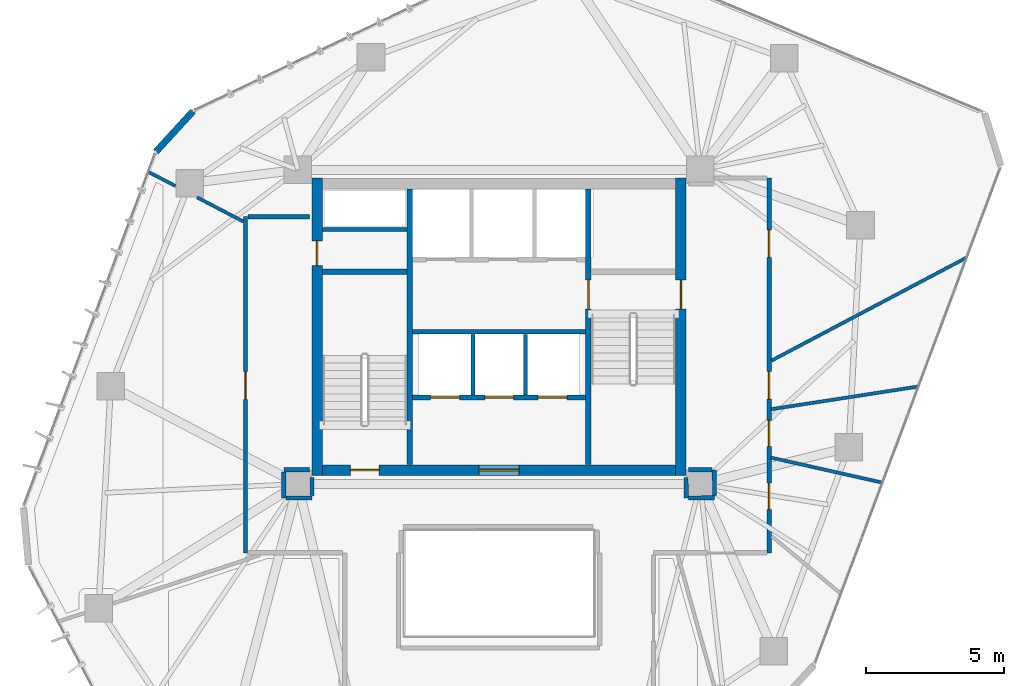
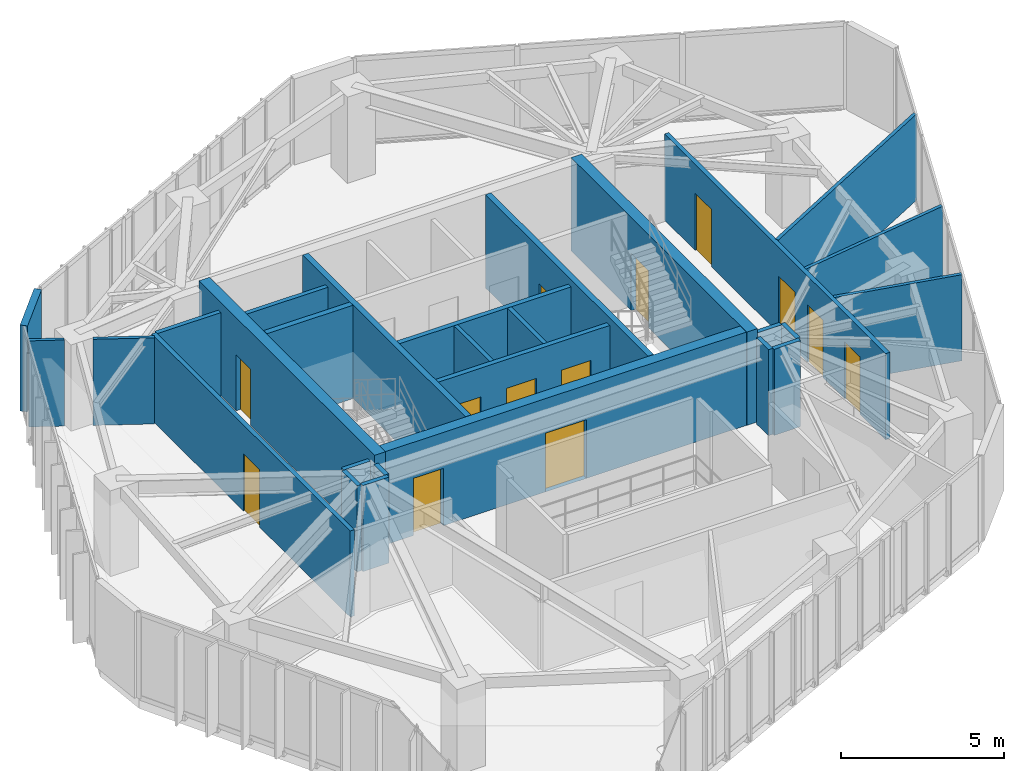
# One storey, part 15 of 18: 28 walls, 13 doors, 13 openings.
"""IFC4 building model written with IfcOpenShell, lengths in metres."""

from ifc_helpers import new_model, si_unit, direction, frame, frame_2d, origin, place, context, subcontext, project, spatial, rectangle, extrude, source, transform, mapped, material, layer, layer_set, type_object, type_shapes, element, fill, save


model = new_model("IFC4")

# Units and contexts
model_context = context("Model", 3, precision=1e-05, world=origin(), true_north=direction((0.0, 1.0)))
body_context = subcontext(model_context, "Body", "Model", "MODEL_VIEW")
ifc_project = project(units=[si_unit("LENGTHUNIT", "METRE"), si_unit("AREAUNIT", "SQUARE_METRE"), si_unit("VOLUMEUNIT", "CUBIC_METRE"), si_unit("PLANEANGLEUNIT", "RADIAN"), si_unit("MASSUNIT", "GRAM", prefix="KILO")], contexts=[model_context])

# Site, building, storey
site_placement = place(None, origin())
site = spatial("IfcSite", under=ifc_project, at=site_placement, CompositionType="ELEMENT")
building_placement = place(site_placement, origin())
building = spatial("IfcBuilding", under=site, at=building_placement, Name="Talar Marvaseh", CompositionType="ELEMENT")
storey_placement = place(building_placement, frame((0.0, 0.0, 167.0)))
storey = spatial("IfcBuildingStorey", under=building, at=storey_placement, Name="L43", CompositionType="ELEMENT", Elevation=167.0)

# Walls
ifc_material_1 = material(Name="Precast concrete C45/55", Category="concrete")
ifc_layer_1 = layer(ifc_material_1, 0.239990234375)
ifc_layer_set_1 = layer_set([ifc_layer_1], Name="Precast concrete C45/55")
wall_type_1 = type_object("IfcWallType", Name="Chamfered Hexagonal Corner Pier Wall Z3 240", PredefinedType="SOLIDWALL", material=ifc_layer_set_1)
wall_1_placement = place(storey_placement, frame((13.54541015625, 37.55419921875, 0.0), z_axis=(0.0, 0.0, 1.0), x_axis=(0.675597676165, 0.737270493076, 0.0)))
element("IfcWall", 1, at=wall_1_placement, inside=storey, type_object=wall_type_1, Name="L43 Chamfered Corner Limestone Pier 3", PredefinedType="SOLIDWALL", context=body_context, shape_type="SweptSolid", body=[
    extrude(rectangle(XDim=2.003173828125, YDim=0.239990234375, at=frame_2d((1.00146484375, 0.0))), origin(), (0.0, 0.0, 1.0), 3.22998046875),
])
ifc_material_2 = material(Name="Gypsum Board Partition Assembly")
ifc_layer_2 = layer(ifc_material_2, 0.155029296875)
ifc_layer_set_2 = layer_set([ifc_layer_2], Name="Gypsum Board Partition Assembly")
wall_type_2 = type_object("IfcWallType", Name="Corridor Fire-Rated Acoustic Partition 155", PredefinedType="PARTITIONING", material=ifc_layer_set_2)
wall_2_placement = place(storey_placement, frame((19.60009765625, 34.72998046875, 0.0), z_axis=(0.0, 0.0, 1.0), x_axis=(1.0, 0.0, 0.0)))
element("IfcWall", 2, at=wall_2_placement, inside=storey, type_object=wall_type_2, Name="L43 Core BOH Partition", PredefinedType="PARTITIONING", context=body_context, shape_type="SweptSolid", body=[
    extrude(rectangle(XDim=3.059814453125, YDim=0.155029296875, at=frame_2d((1.52978515625, 0.0))), origin(), (0.0, 0.0, 1.0), 3.22998046875),
])

# Wall, opening, door
wall_3_placement = place(storey_placement, frame((16.800048828125, 23.0, 0.0), z_axis=(0.0, 0.0, 1.0), x_axis=(0.0, 1.0, 0.0)))
wall_3 = element("IfcWall", 3, at=wall_3_placement, inside=storey, type_object=wall_type_2, Name="L43 Interior Partition Wall", PredefinedType="PARTITIONING", context=body_context, shape_type="SweptSolid", body=[
    extrude(rectangle(XDim=12.199951171875, YDim=0.155029296875, at=frame_2d((6.10009765625, 0.0))), origin(), (0.0, 0.0, 1.0), 3.22998046875),
])
opening_1_placement = place(wall_3_placement, frame((5.5712890625, 0.0, 0.0)))
opening_1 = element("IfcOpeningElement", 4, at=opening_1_placement, cuts=wall_3, Name="Opening DR-RM100", PredefinedType="OPENING", context=body_context, shape_type="SweptSolid", body=[
    extrude(rectangle(XDim=1.0, YDim=2.14990234375, at=frame_2d((0.5, 1.074951171875))), frame((0.0, 0.08740234375, 0.0), z_axis=(0.0, -1.0, 0.0), x_axis=(1.0, 0.0, 0.0)), (0.0, 0.0, 1.0), 0.175048828125),
])
ifc_material_3 = material(Name="Acoustic Engineered Oak Timber", Category="wood")
door_type_1 = type_object("IfcDoorType", Name="Corridor Fire-Rated Gallery Door 1000x2150", OperationType="NOTDEFINED", PredefinedType="DOOR", material=ifc_material_3)
shared_shape_1 = source(origin(), body_context, "Body", "SweptSolid", [
    extrude(rectangle(XDim=1.0, YDim=2.14990234375, at=frame_2d((0.5, 1.074951171875))), frame((0.0, 0.02490234375, 0.0), z_axis=(0.0, -1.0, 0.0), x_axis=(1.0, 0.0, 0.0)), (0.0, 0.0, 1.0), 0.050048828125),
])
type_shapes(door_type_1, [shared_shape_1])
door_1_placement = place(opening_1_placement, origin())
door_1 = element("IfcDoor", 5, at=door_1_placement, inside=storey, type_object=door_type_1, Name="L43 Archival Facsimile Boutique Door", OperationType="SINGLE_SWING_LEFT", OverallHeight=2.14990234375, OverallWidth=1.0, PredefinedType="DOOR", context=body_context, shape_type="MappedRepresentation", body=[
    mapped(shared_shape_1, transform((0.0, 0.0, 0.0), x_axis=(1.0, 0.0, 0.0), y_axis=(0.0, 1.0, 0.0), z_axis=(0.0, 0.0, 1.0), scale=1.0)),
])
fill(opening_1, door_1)

# Wall, openings, doors
wall_4_placement = place(storey_placement, frame((35.800048828125, 36.60009765625, 0.0), z_axis=(0.0, 0.0, 1.0), x_axis=(0.0, -1.0, 0.0)))
wall_4 = element("IfcWall", 6, at=wall_4_placement, inside=storey, type_object=wall_type_2, Name="L43 Interior Partition Wall", PredefinedType="PARTITIONING", context=body_context, shape_type="SweptSolid", body=[
    extrude(rectangle(XDim=13.60009765625, YDim=0.155029296875, at=frame_2d((6.800048828125, 0.0))), origin(), (0.0, 0.0, 1.0), 3.22998046875),
])
opening_2_placement = place(wall_4_placement, frame((11.07275390625, 0.0, 0.0)))
opening_2 = element("IfcOpeningElement", 7, at=opening_2_placement, cuts=wall_4, Name="Opening DR-WC095", PredefinedType="OPENING", context=body_context, shape_type="SweptSolid", body=[
    extrude(rectangle(XDim=0.949951171875, YDim=2.14990234375, at=frame_2d((0.47509765625, 1.074951171875))), frame((0.0, 0.08740234375, 0.0), z_axis=(0.0, -1.0, 0.0), x_axis=(1.0, 0.0, 0.0)), (0.0, 0.0, 1.0), 0.175048828125),
])
opening_3_placement = place(wall_4_placement, frame((8.789794921875, 0.0, 0.0)))
opening_3 = element("IfcOpeningElement", 8, at=opening_3_placement, cuts=wall_4, Name="Opening DR-WC095", PredefinedType="OPENING", context=body_context, shape_type="SweptSolid", body=[
    extrude(rectangle(XDim=0.949951171875, YDim=2.14990234375, at=frame_2d((0.47509765625, 1.074951171875))), frame((0.0, 0.08740234375, 0.0), z_axis=(0.0, -1.0, 0.0), x_axis=(1.0, 0.0, 0.0)), (0.0, 0.0, 1.0), 0.175048828125),
])
opening_4_placement = place(wall_4_placement, frame((7.023681640625, 0.0, 0.0)))
opening_4 = element("IfcOpeningElement", 9, at=opening_4_placement, cuts=wall_4, Name="Opening DR-RM100", PredefinedType="OPENING", context=body_context, shape_type="SweptSolid", body=[
    extrude(rectangle(XDim=1.0, YDim=2.14990234375, at=frame_2d((0.5, 1.074951171875))), frame((0.0, 0.08740234375, 0.0), z_axis=(0.0, -1.0, 0.0), x_axis=(1.0, 0.0, 0.0)), (0.0, 0.0, 1.0), 0.175048828125),
])
opening_5_placement = place(wall_4_placement, frame((1.883056640625, 0.0, 0.0)))
opening_5 = element("IfcOpeningElement", 10, at=opening_5_placement, cuts=wall_4, Name="Opening DR-RM100", PredefinedType="OPENING", context=body_context, shape_type="SweptSolid", body=[
    extrude(rectangle(XDim=1.0, YDim=2.14990234375, at=frame_2d((0.5, 1.074951171875))), frame((0.0, 0.08740234375, 0.0), z_axis=(0.0, -1.0, 0.0), x_axis=(1.0, 0.0, 0.0)), (0.0, 0.0, 1.0), 0.175048828125),
])
door_type_2 = type_object("IfcDoorType", Name="Washroom and Service Room Door 950x2150", OperationType="NOTDEFINED", PredefinedType="DOOR", material=ifc_material_3)
shared_shape_2 = source(origin(), body_context, "Body", "SweptSolid", [
    extrude(rectangle(XDim=0.949951171875, YDim=2.14990234375, at=frame_2d((0.47509765625, 1.074951171875))), frame((0.0, 0.02490234375, 0.0), z_axis=(0.0, -1.0, 0.0), x_axis=(1.0, 0.0, 0.0)), (0.0, 0.0, 1.0), 0.050048828125),
])
type_shapes(door_type_2, [shared_shape_2])
door_2_placement = place(opening_2_placement, origin())
door_2 = element("IfcDoor", 11, at=door_2_placement, inside=storey, type_object=door_type_2, Name="L43 Accessible WC Door", OperationType="SINGLE_SWING_LEFT", OverallHeight=2.14990234375, OverallWidth=0.949951171875, PredefinedType="DOOR", context=body_context, shape_type="MappedRepresentation", body=[
    mapped(shared_shape_2, transform((0.0, 0.0, 0.0), x_axis=(1.0, 0.0, 0.0), y_axis=(0.0, 1.0, 0.0), z_axis=(0.0, 0.0, 1.0), scale=1.0)),
])
fill(opening_2, door_2)
door_3_placement = place(opening_3_placement, origin())
door_3 = element("IfcDoor", 12, at=door_3_placement, inside=storey, type_object=door_type_2, Name="L43 WC Public Washrooms Door", OperationType="SINGLE_SWING_RIGHT", OverallHeight=2.14990234375, OverallWidth=0.949951171875, PredefinedType="DOOR", context=body_context, shape_type="MappedRepresentation", body=[
    mapped(shared_shape_2, transform((0.0, 0.0, 0.0), x_axis=(1.0, 0.0, 0.0), y_axis=(0.0, 1.0, 0.0), z_axis=(0.0, 0.0, 1.0), scale=1.0)),
])
fill(opening_3, door_3)
door_4_placement = place(opening_4_placement, origin())
door_4 = element("IfcDoor", 13, at=door_4_placement, inside=storey, type_object=door_type_1, Name="L43 Artisan Craft Showroom Door", OperationType="SINGLE_SWING_LEFT", OverallHeight=2.14990234375, OverallWidth=1.0, PredefinedType="DOOR", context=body_context, shape_type="MappedRepresentation", body=[
    mapped(shared_shape_1, transform((0.0, 0.0, 0.0), x_axis=(1.0, 0.0, 0.0), y_axis=(0.0, 1.0, 0.0), z_axis=(0.0, 0.0, 1.0), scale=1.0)),
])
fill(opening_4, door_4)
door_5_placement = place(opening_5_placement, origin())
door_5 = element("IfcDoor", 14, at=door_5_placement, inside=storey, type_object=door_type_1, Name="L43 Conservation Briefing Room Door", OperationType="SINGLE_SWING_RIGHT", OverallHeight=2.14990234375, OverallWidth=1.0, PredefinedType="DOOR", context=body_context, shape_type="MappedRepresentation", body=[
    mapped(shared_shape_1, transform((0.0, 0.0, 0.0), x_axis=(1.0, 0.0, 0.0), y_axis=(0.0, 1.0, 0.0), z_axis=(0.0, 0.0, 1.0), scale=1.0)),
])
fill(opening_5, door_5)

# Walls
wall_5_placement = place(storey_placement, frame((16.883544921875, 35.199951171875, 0.0), z_axis=(0.0, 0.0, 1.0), x_axis=(1.0, 0.0, 0.0)))
element("IfcWall", 15, at=wall_5_placement, inside=storey, type_object=wall_type_2, Name="L43 Interior Partition Wall", PredefinedType="PARTITIONING", context=body_context, shape_type="SweptSolid", body=[
    extrude(rectangle(XDim=2.246337890625, YDim=0.155029296875, at=frame_2d((1.123046875, 0.0))), origin(), (0.0, 0.0, 1.0), 3.22998046875),
])
wall_6_placement = place(storey_placement, frame((19.1298828125, 26.0146484375, 0.0), z_axis=(0.0, 0.0, 1.0), x_axis=(-0.99999026157, -0.004413248818, 0.0)))
element("IfcWall", 16, at=wall_6_placement, inside=storey, type_object=wall_type_2, Name="L43 Interior Partition Wall", PredefinedType="PARTITIONING", context=body_context, shape_type="SweptSolid", body=[
    extrude(rectangle(XDim=0.9404296875, YDim=0.155029296875, at=frame_2d((0.47021484375, 0.0))), origin(), (0.0, 0.0, 1.0), 3.22998046875),
])
wall_7_placement = place(storey_placement, frame((18.189697265625, 25.927001953125, 0.0), z_axis=(0.0, 0.0, 1.0), x_axis=(0.002078997586, -0.999997838882, 0.0)))
element("IfcWall", 17, at=wall_7_placement, inside=storey, type_object=wall_type_2, Name="L43 Interior Partition Wall", PredefinedType="PARTITIONING", context=body_context, shape_type="SweptSolid", body=[
    extrude(rectangle(XDim=0.939453125, YDim=0.155029296875, at=frame_2d((0.4697265625, 0.0))), origin(), (0.0, 0.0, 1.0), 3.22998046875),
])
wall_8_placement = place(storey_placement, frame((18.275146484375, 24.987548828125, 0.0), z_axis=(0.0, 0.0, 1.0), x_axis=(0.999999692748, 0.0007839036, 0.0)))
element("IfcWall", 18, at=wall_8_placement, inside=storey, type_object=wall_type_2, Name="L43 Interior Partition Wall", PredefinedType="PARTITIONING", context=body_context, shape_type="SweptSolid", body=[
    extrude(rectangle(XDim=0.934326171875, YDim=0.155029296875, at=frame_2d((0.46728515625, 0.0))), origin(), (0.0, 0.0, 1.0), 3.22998046875),
])
wall_9_placement = place(storey_placement, frame((19.210205078125, 25.072021484375, 0.0), z_axis=(0.0, 0.0, 1.0), x_axis=(0.007420945932, 0.999972464402, 0.0)))
element("IfcWall", 19, at=wall_9_placement, inside=storey, type_object=wall_type_2, Name="L43 Interior Partition Wall", PredefinedType="PARTITIONING", context=body_context, shape_type="SweptSolid", body=[
    extrude(rectangle(XDim=0.657958984375, YDim=0.155029296875, at=frame_2d((0.3291015625, 0.0))), origin(), (0.0, 0.0, 1.0), 3.22998046875),
])
wall_10_placement = place(storey_placement, frame((32.784912109375, 25.72998046875, 0.0), z_axis=(0.0, 0.0, 1.0), x_axis=(0.007570553288, -0.999971342951, 0.0)))
element("IfcWall", 20, at=wall_10_placement, inside=storey, type_object=wall_type_2, Name="L43 Interior Partition Wall", PredefinedType="PARTITIONING", context=body_context, shape_type="SweptSolid", body=[
    extrude(rectangle(XDim=0.74169921875, YDim=0.155029296875, at=frame_2d((0.370849609375, 0.0))), origin(), (0.0, 0.0, 1.0), 3.22998046875),
])
wall_11_placement = place(storey_placement, frame((32.8740234375, 24.9892578125, 0.0), z_axis=(0.0, 0.0, 1.0), x_axis=(0.999934835738, 0.01141596595, 0.0)))
element("IfcWall", 21, at=wall_11_placement, inside=storey, type_object=wall_type_2, Name="L43 Interior Partition Wall", PredefinedType="PARTITIONING", context=body_context, shape_type="SweptSolid", body=[
    extrude(rectangle(XDim=0.94091796875, YDim=0.155029296875, at=frame_2d((0.470458984375, 0.0))), origin(), (0.0, 0.0, 1.0), 3.22998046875),
])
wall_12_placement = place(storey_placement, frame((33.814697265625, 25.08349609375, 0.0), z_axis=(0.0, 0.0, 1.0), x_axis=(-0.004477173984, 0.999989977406, 0.0)))
element("IfcWall", 22, at=wall_12_placement, inside=storey, type_object=wall_type_2, Name="L43 Interior Partition Wall", PredefinedType="PARTITIONING", context=body_context, shape_type="SweptSolid", body=[
    extrude(rectangle(XDim=0.927001953125, YDim=0.155029296875, at=frame_2d((0.46337890625, 0.0))), origin(), (0.0, 0.0, 1.0), 3.22998046875),
])
wall_13_placement = place(storey_placement, frame((33.72705078125, 26.010986328125, 0.0), z_axis=(0.0, 0.0, 1.0), x_axis=(-0.999990868706, 0.004273465251, 0.0)))
element("IfcWall", 23, at=wall_13_placement, inside=storey, type_object=wall_type_2, Name="L43 Interior Partition Wall", PredefinedType="PARTITIONING", context=body_context, shape_type="SweptSolid", body=[
    extrude(rectangle(XDim=0.85693359375, YDim=0.155029296875, at=frame_2d((0.428466796875, 0.0))), origin(), (0.0, 0.0, 1.0), 3.22998046875),
])
ifc_layer_3 = layer(ifc_material_2, 0.1201171875)
ifc_layer_set_3 = layer_set([ifc_layer_3], Name="Gypsum Board Partition Assembly")
wall_type_3 = type_object("IfcWallType", Name="Demountable Studio Room Partition 120", PredefinedType="PARTITIONING", material=ifc_layer_set_3)
wall_14_placement = place(storey_placement, frame((35.86328125, 26.455810546875, 0.0), z_axis=(0.0, 0.0, 1.0), x_axis=(0.975715736092, -0.219040640846, 0.0)))
element("IfcWall", 24, at=wall_14_placement, inside=storey, type_object=wall_type_3, Name="L43 Interior Partition Wall", PredefinedType="PARTITIONING", context=body_context, shape_type="SweptSolid", body=[
    extrude(rectangle(XDim=4.12744140625, YDim=0.1201171875, at=frame_2d((2.063720703125, 0.0))), origin(), (0.0, 0.0, 1.0), 3.22998046875),
])
wall_15_placement = place(storey_placement, frame((35.8642578125, 28.2099609375, 0.0), z_axis=(0.0, 0.0, 1.0), x_axis=(0.988332418766, 0.152312277955, 0.0)))
element("IfcWall", 25, at=wall_15_placement, inside=storey, type_object=wall_type_3, Name="L43 Interior Partition Wall", PredefinedType="PARTITIONING", context=body_context, shape_type="SweptSolid", body=[
    extrude(rectangle(XDim=5.393798828125, YDim=0.1201171875, at=frame_2d((2.69677734375, 0.0))), origin(), (0.0, 0.0, 1.0), 3.22998046875),
])
wall_16_placement = place(storey_placement, frame((35.883544921875, 29.97412109375, 0.0), z_axis=(0.0, 0.0, 1.0), x_axis=(0.884226000955, 0.46705928878, 0.0)))
element("IfcWall", 26, at=wall_16_placement, inside=storey, type_object=wall_type_3, Name="L43 Interior Partition Wall", PredefinedType="PARTITIONING", context=body_context, shape_type="SweptSolid", body=[
    extrude(rectangle(XDim=7.99072265625, YDim=0.1201171875, at=frame_2d((3.995361328125, 0.0))), origin(), (0.0, 0.0, 1.0), 3.22998046875),
])
wall_17_placement = place(storey_placement, frame((16.716552734375, 35.023681640625, 0.0), z_axis=(0.0, 0.0, 1.0), x_axis=(-0.886255547382, 0.463196615633, 0.0)))
element("IfcWall", 27, at=wall_17_placement, inside=storey, type_object=wall_type_3, Name="L43 Interior Partition Wall", PredefinedType="PARTITIONING", context=body_context, shape_type="SweptSolid", body=[
    extrude(rectangle(XDim=1.8916015625, YDim=0.1201171875, at=frame_2d((0.94580078125, 0.0))), origin(), (0.0, 0.0, 1.0), 3.22998046875),
])
wall_18_placement = place(storey_placement, frame((14.260009765625, 36.31005859375, 0.0), z_axis=(0.0, 0.0, 1.0), x_axis=(-0.887801911639, 0.460225776865, 0.0)))
element("IfcWall", 28, at=wall_18_placement, inside=storey, type_object=wall_type_3, Name="L43 Interior Partition Wall", PredefinedType="PARTITIONING", context=body_context, shape_type="SweptSolid", body=[
    extrude(rectangle(XDim=1.091796875, YDim=0.1201171875, at=frame_2d((0.5458984375, 0.0))), origin(), (0.0, 0.0, 1.0), 3.22998046875),
])
ifc_layer_4 = layer(ifc_material_1, 0.14501953125)
ifc_layer_set_4 = layer_set([ifc_layer_4], Name="Precast concrete C45/55")
wall_type_4 = type_object("IfcWallType", Name="Fire-Rated Lift Divider Wall 145", PredefinedType="SOLIDWALL", material=ifc_layer_set_4)
for number, where, z_axis, x_axis, name in (
    (29, (25.050048828125, 28.719970703125, 0.0), (0.0, 0.0, 1.0), (0.0, 1.0, 0.0), "L43 PL-H1/PL-H2 Divider"),
    (30, (26.949951171875, 28.719970703125, 0.0), (0.0, 0.0, 1.0), (0.0, 1.0, 0.0), "L43 PL-H2/PL-H3 Divider"),
):
    element("IfcWall", number, at=place(storey_placement, frame(where, z_axis=z_axis, x_axis=x_axis)), inside=storey, type_object=wall_type_4, Name=name, PredefinedType="SOLIDWALL", context=body_context, shape_type="SweptSolid", body=[
        extrude(rectangle(XDim=2.20654296875, YDim=0.14501953125, at=frame_2d((1.103271484375, 0.0))), origin(), (0.0, 0.0, 1.0), 3.22998046875),
    ])
ifc_layer_5 = layer(ifc_material_1, 0.175048828125)
ifc_layer_set_5 = layer_set([ifc_layer_5], Name="Precast concrete C45/55")
wall_type_5 = type_object("IfcWallType", Name="Fire-Rated Lift Hoistway Enclosure Wall 175", PredefinedType="SOLIDWALL", material=ifc_layer_set_5)
wall_19_placement = place(storey_placement, frame((22.860107421875, 31.02001953125, 0.0), z_axis=(0.0, 0.0, 1.0), x_axis=(1.0, 0.0, 0.0)))
element("IfcWall", 31, at=wall_19_placement, inside=storey, type_object=wall_type_5, Name="L43 Firefighting Lobby South Smoke Wall", PredefinedType="SOLIDWALL", context=body_context, shape_type="SweptSolid", body=[
    extrude(rectangle(XDim=6.27978515625, YDim=0.175048828125, at=frame_2d((3.139892578125, 0.0))), origin(), (0.0, 0.0, 1.0), 3.22998046875),
])

# Wall, openings, doors
wall_20_placement = place(storey_placement, frame((22.860107421875, 28.639892578125, 0.0), z_axis=(0.0, 0.0, 1.0), x_axis=(1.0, 0.0, 0.0)))
wall_20 = element("IfcWall", 32, at=wall_20_placement, inside=storey, type_object=wall_type_5, Name="L43 High-Rise Lift Bank Front Wall", PredefinedType="SOLIDWALL", context=body_context, shape_type="SweptSolid", body=[
    extrude(rectangle(XDim=6.27978515625, YDim=0.175048828125, at=frame_2d((3.139892578125, 0.0))), origin(), (0.0, 0.0, 1.0), 3.22998046875),
])
opening_6_placement = place(wall_20_placement, frame((0.659912109375, 0.0, 0.0)))
opening_6 = element("IfcOpeningElement", 33, at=opening_6_placement, cuts=wall_20, Name="Opening LD-PLH1", PredefinedType="OPENING", context=body_context, shape_type="SweptSolid", body=[
    extrude(rectangle(XDim=1.050048828125, YDim=2.14990234375, at=frame_2d((0.52490234375, 1.074951171875))), frame((0.0, 0.09765625, 0.0), z_axis=(0.0, -1.0, 0.0), x_axis=(1.0, 0.0, 0.0)), (0.0, 0.0, 1.0), 0.195068359375),
])
opening_7_placement = place(wall_20_placement, frame((2.6201171875, 0.0, 0.0)))
opening_7 = element("IfcOpeningElement", 34, at=opening_7_placement, cuts=wall_20, Name="Opening LD-PLH2", PredefinedType="OPENING", context=body_context, shape_type="SweptSolid", body=[
    extrude(rectangle(XDim=1.050048828125, YDim=2.14990234375, at=frame_2d((0.52490234375, 1.074951171875))), frame((0.0, 0.09765625, 0.0), z_axis=(0.0, -1.0, 0.0), x_axis=(1.0, 0.0, 0.0)), (0.0, 0.0, 1.0), 0.195068359375),
])
opening_8_placement = place(wall_20_placement, frame((4.56005859375, 0.0, 0.0)))
opening_8 = element("IfcOpeningElement", 35, at=opening_8_placement, cuts=wall_20, Name="Opening LD-PLH3", PredefinedType="OPENING", context=body_context, shape_type="SweptSolid", body=[
    extrude(rectangle(XDim=1.050048828125, YDim=2.14990234375, at=frame_2d((0.52490234375, 1.074951171875))), frame((0.0, 0.09765625, 0.0), z_axis=(0.0, -1.0, 0.0), x_axis=(1.0, 0.0, 0.0)), (0.0, 0.0, 1.0), 0.195068359375),
])
ifc_material_4 = material(Name="Stainless Steel Grade 316", Category="steel")
door_type_3 = type_object("IfcDoorType", Name="Automatic Sliding Lift Landing Door 1050x2150", OperationType="NOTDEFINED", PredefinedType="DOOR", material=ifc_material_4)
shared_shape_3 = source(origin(), body_context, "Body", "SweptSolid", [
    extrude(rectangle(XDim=1.050048828125, YDim=2.14990234375, at=frame_2d((0.52490234375, 1.074951171875))), frame((0.0, 0.02490234375, 0.0), z_axis=(0.0, -1.0, 0.0), x_axis=(1.0, 0.0, 0.0)), (0.0, 0.0, 1.0), 0.050048828125),
])
type_shapes(door_type_3, [shared_shape_3])
door_6_placement = place(opening_6_placement, origin())
door_6 = element("IfcDoor", 36, at=door_6_placement, inside=storey, type_object=door_type_3, Name="L43 Lift PL-H1 Sliding Landing Door", OperationType="SLIDING_TO_LEFT", OverallHeight=2.14990234375, OverallWidth=1.050048828125, PredefinedType="DOOR", context=body_context, shape_type="MappedRepresentation", body=[
    mapped(shared_shape_3, transform((0.0, 0.0, 0.0), x_axis=(1.0, 0.0, 0.0), y_axis=(0.0, 1.0, 0.0), z_axis=(0.0, 0.0, 1.0), scale=1.0)),
])
fill(opening_6, door_6)
door_7_placement = place(opening_7_placement, origin())
door_7 = element("IfcDoor", 37, at=door_7_placement, inside=storey, type_object=door_type_3, Name="L43 Lift PL-H2 Sliding Landing Door", OperationType="SLIDING_TO_LEFT", OverallHeight=2.14990234375, OverallWidth=1.050048828125, PredefinedType="DOOR", context=body_context, shape_type="MappedRepresentation", body=[
    mapped(shared_shape_3, transform((0.0, 0.0, 0.0), x_axis=(1.0, 0.0, 0.0), y_axis=(0.0, 1.0, 0.0), z_axis=(0.0, 0.0, 1.0), scale=1.0)),
])
fill(opening_7, door_7)
door_8_placement = place(opening_8_placement, origin())
door_8 = element("IfcDoor", 38, at=door_8_placement, inside=storey, type_object=door_type_3, Name="L43 Lift PL-H3 Sliding Landing Door", OperationType="SLIDING_TO_LEFT", OverallHeight=2.14990234375, OverallWidth=1.050048828125, PredefinedType="DOOR", context=body_context, shape_type="MappedRepresentation", body=[
    mapped(shared_shape_3, transform((0.0, 0.0, 0.0), x_axis=(1.0, 0.0, 0.0), y_axis=(0.0, 1.0, 0.0), z_axis=(0.0, 0.0, 1.0), scale=1.0)),
])
fill(opening_8, door_8)

# Wall, opening, door
ifc_material_5 = material(Name="Concrete C60/75", Category="concrete")
ifc_layer_6 = layer(ifc_material_5, 0.3798828125)
ifc_layer_set_6 = layer_set([ifc_layer_6], Name="Concrete C60/75")
wall_type_6 = type_object("IfcWallType", Name="Mid Core Reinforced Concrete Shear Wall 380", PredefinedType="SHEAR", material=ifc_layer_set_6)
wall_21_placement = place(storey_placement, frame((19.39990234375, 25.800048828125, 0.0), z_axis=(0.0, 0.0, 1.0), x_axis=(0.0, 1.0, 0.0)))
wall_21 = element("IfcWall", 39, at=wall_21_placement, inside=storey, type_object=wall_type_6, Name="L43 West Core Shear Wall", PredefinedType="SHEAR", context=body_context, shape_type="SweptSolid", body=[
    extrude(rectangle(XDim=10.800048828125, YDim=0.3798828125, at=frame_2d((5.39990234375, 0.0))), origin(), (0.0, 0.0, 1.0), 3.5),
])
opening_9_placement = place(wall_21_placement, frame((7.6201171875, 0.0, 0.0)))
opening_9 = element("IfcOpeningElement", 40, at=opening_9_placement, cuts=wall_21, Name="Opening DR-BOH090", PredefinedType="OPENING", context=body_context, shape_type="SweptSolid", body=[
    extrude(rectangle(XDim=0.89990234375, YDim=2.10009765625, at=frame_2d((0.449951171875, 1.050048828125))), frame((0.0, 0.199951171875, 0.0), z_axis=(0.0, -1.0, 0.0), x_axis=(1.0, 0.0, 0.0)), (0.0, 0.0, 1.0), 0.39990234375),
])
ifc_material_6 = material(Name="Fire-Rated Steel Door Leaf", Category="steel")
door_type_4 = type_object("IfcDoorType", Name="Core Back-of-House Service Door 900x2100", OperationType="NOTDEFINED", PredefinedType="DOOR", material=ifc_material_6)
shared_shape_4 = source(origin(), body_context, "Body", "SweptSolid", [
    extrude(rectangle(XDim=0.89990234375, YDim=2.10009765625, at=frame_2d((0.449951171875, 1.050048828125))), frame((0.0, 0.02490234375, 0.0), z_axis=(0.0, -1.0, 0.0), x_axis=(1.0, 0.0, 0.0)), (0.0, 0.0, 1.0), 0.050048828125),
])
type_shapes(door_type_4, [shared_shape_4])
door_9_placement = place(opening_9_placement, origin())
door_9 = element("IfcDoor", 41, at=door_9_placement, inside=storey, type_object=door_type_4, Name="L43 Cleaner Core West Closet Door", OperationType="SINGLE_SWING_LEFT", OverallHeight=2.10009765625, OverallWidth=0.89990234375, PredefinedType="DOOR", context=body_context, shape_type="MappedRepresentation", body=[
    mapped(shared_shape_4, transform((0.0, 0.0, 0.0), x_axis=(1.0, 0.0, 0.0), y_axis=(0.0, 1.0, 0.0), z_axis=(0.0, 0.0, 1.0), scale=1.0)),
])
fill(opening_9, door_9)

wall_22_placement = place(storey_placement, frame((32.60009765625, 36.60009765625, 0.0), z_axis=(0.0, 0.0, 1.0), x_axis=(0.0, -1.0, 0.0)))
wall_22 = element("IfcWall", 42, at=wall_22_placement, inside=storey, type_object=wall_type_6, Name="L43 East Core Shear Wall", PredefinedType="SHEAR", context=body_context, shape_type="SweptSolid", body=[
    extrude(rectangle(XDim=10.800048828125, YDim=0.3798828125, at=frame_2d((5.39990234375, 0.0))), origin(), (0.0, 0.0, 1.0), 3.5),
])
opening_10_placement = place(wall_22_placement, frame((3.699951171875, 0.0, 0.0)))
opening_10 = element("IfcOpeningElement", 43, at=opening_10_placement, cuts=wall_22, Name="Opening DR-ST105", PredefinedType="OPENING", context=body_context, shape_type="SweptSolid", body=[
    extrude(rectangle(XDim=1.050048828125, YDim=2.14990234375, at=frame_2d((0.52490234375, 1.074951171875))), frame((0.0, 0.199951171875, 0.0), z_axis=(0.0, -1.0, 0.0), x_axis=(1.0, 0.0, 0.0)), (0.0, 0.0, 1.0), 0.39990234375),
])
door_type_5 = type_object("IfcDoorType", Name="Protected Exit Stair Fire Door 1050x2150", OperationType="NOTDEFINED", PredefinedType="DOOR", material=ifc_material_6)
shared_shape_5 = source(origin(), body_context, "Body", "SweptSolid", [
    extrude(rectangle(XDim=1.050048828125, YDim=2.14990234375, at=frame_2d((0.52490234375, 1.074951171875))), frame((0.0, 0.02490234375, 0.0), z_axis=(0.0, -1.0, 0.0), x_axis=(1.0, 0.0, 0.0)), (0.0, 0.0, 1.0), 0.050048828125),
])
type_shapes(door_type_5, [shared_shape_5])
door_10_placement = place(opening_10_placement, origin())
door_10 = element("IfcDoor", 44, at=door_10_placement, inside=storey, type_object=door_type_5, Name="L43 Stair ST-2 Corridor Exit Door", OperationType="SINGLE_SWING_LEFT", OverallHeight=2.14990234375, OverallWidth=1.050048828125, PredefinedType="DOOR", context=body_context, shape_type="MappedRepresentation", body=[
    mapped(shared_shape_5, transform((0.0, 0.0, 0.0), x_axis=(1.0, 0.0, 0.0), y_axis=(0.0, 1.0, 0.0), z_axis=(0.0, 0.0, 1.0), scale=1.0)),
])
fill(opening_10, door_10)

# Wall, openings, doors
wall_23_placement = place(storey_placement, frame((32.39990234375, 26.0, 0.0), z_axis=(0.0, 0.0, 1.0), x_axis=(-1.0, 0.0, 0.0)))
wall_23 = element("IfcWall", 45, at=wall_23_placement, inside=storey, type_object=wall_type_6, Name="L43 South Core Shear Wall", PredefinedType="SHEAR", context=body_context, shape_type="SweptSolid", body=[
    extrude(rectangle(XDim=12.7998046875, YDim=0.3798828125, at=frame_2d((6.39990234375, 0.0))), origin(), (0.0, 0.0, 1.0), 3.5),
])
opening_11_placement = place(wall_23_placement, frame((10.75, 0.0, 0.0)))
opening_11 = element("IfcOpeningElement", 46, at=opening_11_placement, cuts=wall_23, Name="Opening DR-ST105", PredefinedType="OPENING", context=body_context, shape_type="SweptSolid", body=[
    extrude(rectangle(XDim=1.050048828125, YDim=2.14990234375, at=frame_2d((0.52490234375, 1.074951171875))), frame((0.0, 0.199951171875, 0.0), z_axis=(0.0, -1.0, 0.0), x_axis=(1.0, 0.0, 0.0)), (0.0, 0.0, 1.0), 0.39990234375),
])
opening_12_placement = place(wall_23_placement, frame((5.669921875, 0.0, 0.0)))
opening_12 = element("IfcOpeningElement", 47, at=opening_12_placement, cuts=wall_23, Name="Opening DR-LBY145", PredefinedType="OPENING", context=body_context, shape_type="SweptSolid", body=[
    extrude(rectangle(XDim=1.449951171875, YDim=2.199951171875, at=frame_2d((0.72509765625, 1.10009765625))), frame((0.0, 0.199951171875, 0.0), z_axis=(0.0, -1.0, 0.0), x_axis=(1.0, 0.0, 0.0)), (0.0, 0.0, 1.0), 0.39990234375),
])
door_11_placement = place(opening_11_placement, origin())
door_11 = element("IfcDoor", 48, at=door_11_placement, inside=storey, type_object=door_type_5, Name="L43 Stair ST-1 Exit Door", OperationType="SINGLE_SWING_RIGHT", OverallHeight=2.14990234375, OverallWidth=1.050048828125, PredefinedType="DOOR", context=body_context, shape_type="MappedRepresentation", body=[
    mapped(shared_shape_5, transform((0.0, 0.0, 0.0), x_axis=(1.0, 0.0, 0.0), y_axis=(0.0, 1.0, 0.0), z_axis=(0.0, 0.0, 1.0), scale=1.0)),
])
fill(opening_11, door_11)
door_type_6 = type_object("IfcDoorType", Name="Core Lift Lobby Double Smoke Door 1450x2200", OperationType="NOTDEFINED", PredefinedType="DOOR", material=ifc_material_6)
shared_shape_6 = source(origin(), body_context, "Body", "SweptSolid", [
    extrude(rectangle(XDim=1.449951171875, YDim=2.199951171875, at=frame_2d((0.72509765625, 1.10009765625))), frame((0.0, 0.02490234375, 0.0), z_axis=(0.0, -1.0, 0.0), x_axis=(1.0, 0.0, 0.0)), (0.0, 0.0, 1.0), 0.050048828125),
])
type_shapes(door_type_6, [shared_shape_6])
door_12_placement = place(opening_12_placement, origin())
door_12 = element("IfcDoor", 49, at=door_12_placement, inside=storey, type_object=door_type_6, Name="L43 Passenger Lift Lobby Entrance Door", OperationType="DOUBLE_DOOR_SINGLE_SWING", OverallHeight=2.199951171875, OverallWidth=1.449951171875, PredefinedType="DOOR", context=body_context, shape_type="MappedRepresentation", body=[
    mapped(shared_shape_6, transform((0.0, 0.0, 0.0), x_axis=(1.0, 0.0, 0.0), y_axis=(0.0, 1.0, 0.0), z_axis=(0.0, 0.0, 1.0), scale=1.0)),
])
fill(opening_12, door_12)

# Wall
ifc_material_7 = material(Name="Concrete C50/60", Category="concrete")
ifc_layer_7 = layer(ifc_material_7, 0.199951171875)
ifc_layer_set_7 = layer_set([ifc_layer_7], Name="Concrete C50/60")
wall_type_7 = type_object("IfcWallType", Name="Stair Shaft Structural Concrete Shear Wall 200", PredefinedType="SHEAR", material=ifc_layer_set_7)
wall_24_placement = place(storey_placement, frame((22.760009765625, 26.199951171875, 0.0), z_axis=(0.0, 0.0, 1.0), x_axis=(0.0, 1.0, 0.0)))
element("IfcWall", 50, at=wall_24_placement, inside=storey, type_object=wall_type_7, Name="L43 Core West Stair Shear Wall", PredefinedType="SHEAR", context=body_context, shape_type="SweptSolid", body=[
    extrude(rectangle(XDim=10.0, YDim=0.199951171875, at=frame_2d((5.0, 0.0))), origin(), (0.0, 0.0, 1.0), 3.5),
])

# Wall, opening, door
wall_25_placement = place(storey_placement, frame((29.239990234375, 26.199951171875, 0.0), z_axis=(0.0, 0.0, 1.0), x_axis=(0.0, 1.0, 0.0)))
wall_25 = element("IfcWall", 51, at=wall_25_placement, inside=storey, type_object=wall_type_7, Name="L43 Core East Stair Shear Wall", PredefinedType="SHEAR", context=body_context, shape_type="SweptSolid", body=[
    extrude(rectangle(XDim=10.0, YDim=0.199951171875, at=frame_2d((5.0, 0.0))), origin(), (0.0, 0.0, 1.0), 3.5),
])
opening_13_placement = place(wall_25_placement, frame((5.64990234375, 0.0, 0.0)))
opening_13 = element("IfcOpeningElement", 52, at=opening_13_placement, cuts=wall_25, Name="Opening DR-ST105", PredefinedType="OPENING", context=body_context, shape_type="SweptSolid", body=[
    extrude(rectangle(XDim=1.050048828125, YDim=2.14990234375, at=frame_2d((0.52490234375, 1.074951171875))), frame((0.0, 0.10986328125, 0.0), z_axis=(0.0, -1.0, 0.0), x_axis=(1.0, 0.0, 0.0)), (0.0, 0.0, 1.0), 0.219970703125),
])
door_13_placement = place(opening_13_placement, origin())
door_13 = element("IfcDoor", 53, at=door_13_placement, inside=storey, type_object=door_type_5, Name="L43 Firefighting Lobby to Stair ST-2 Door", OperationType="SINGLE_SWING_LEFT", OverallHeight=2.14990234375, OverallWidth=1.050048828125, PredefinedType="DOOR", context=body_context, shape_type="MappedRepresentation", body=[
    mapped(shared_shape_5, transform((0.0, 0.0, 0.0), x_axis=(1.0, 0.0, 0.0), y_axis=(0.0, 1.0, 0.0), z_axis=(0.0, 0.0, 1.0), scale=1.0)),
])
fill(opening_13, door_13)

# Wall
wall_26_placement = place(storey_placement, frame((19.60009765625, 33.199951171875, 0.0), z_axis=(0.0, 0.0, 1.0), x_axis=(1.0, 0.0, 0.0)))
element("IfcWall", 54, at=wall_26_placement, inside=storey, type_object=wall_type_7, Name="L43 Stair ST-1 North Shear Wall", PredefinedType="SHEAR", context=body_context, shape_type="SweptSolid", body=[
    extrude(rectangle(XDim=3.059814453125, YDim=0.199951171875, at=frame_2d((1.52978515625, 0.0))), origin(), (0.0, 0.0, 1.0), 3.5),
])

save(model, "model.ifc")
